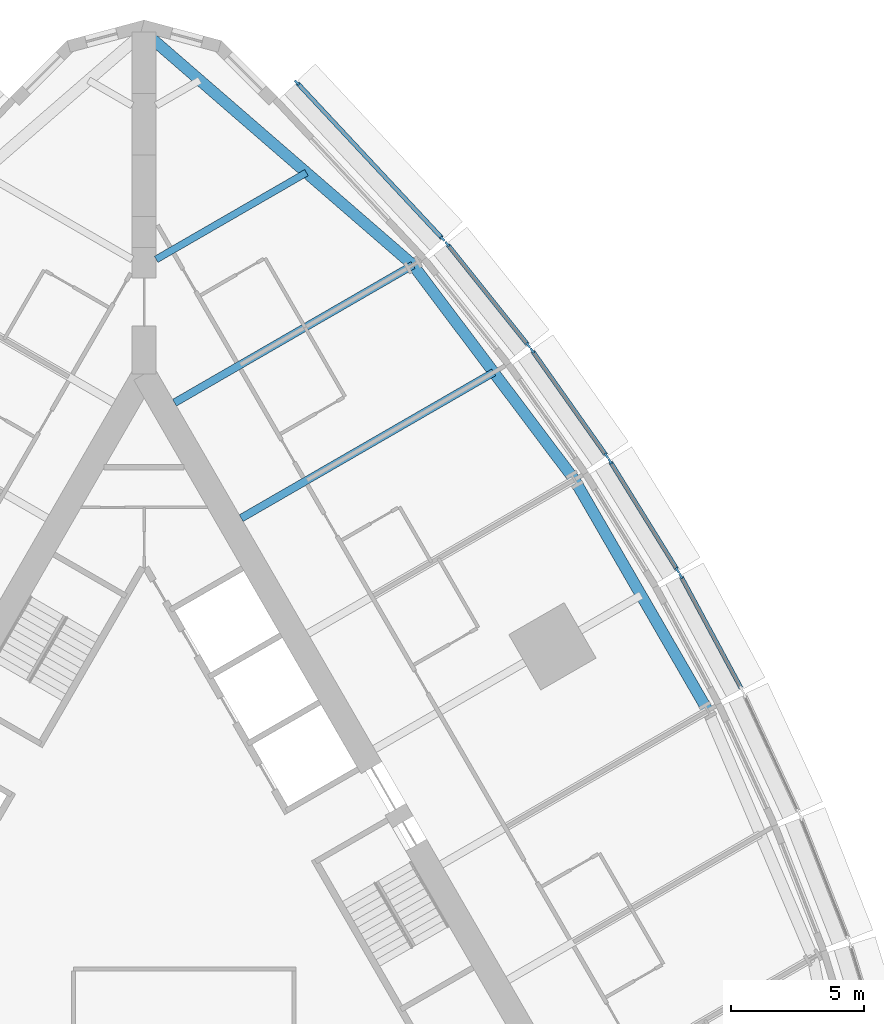
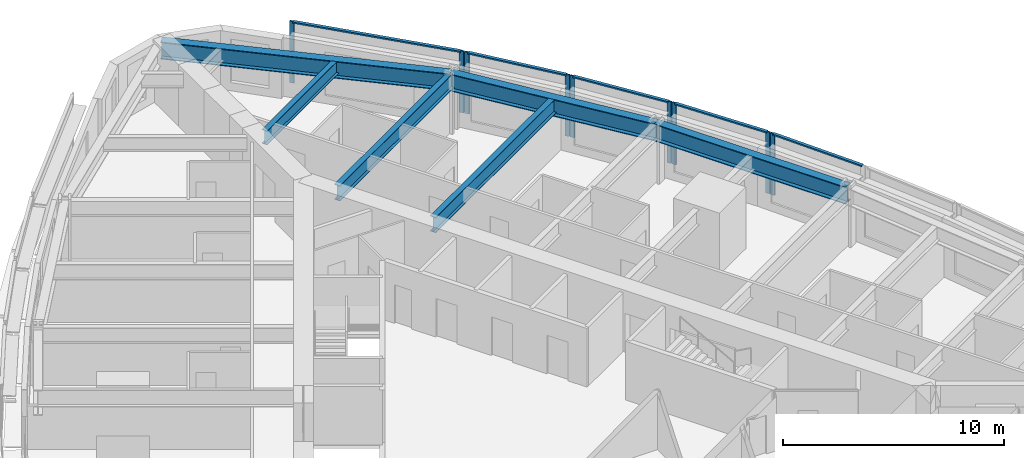
# One storey, part 5 of 14: 14 members, 6 beams, 5 elements without a shape of their own.
"""IFC4 building model written with IfcOpenShell, lengths in metres."""

import ifcopenshell
import ifcopenshell.guid

model = None  # the IFC model being written
_history = None  # IfcOwnerHistory: only IFC2X3 demands one
_inside = {}  # id of a spatial element -> (the spatial element, [elements in it])
_under = {}  # id of a project, library or spatial element -> (it, [spatial elements below it])
_declared = {}  # id of a project -> (the project, [libraries it declares])
_typed = {}  # id of a type object -> (the type object, [elements of that type])
_made_of = {}  # id of a material, layer set ... -> (it, [elements and type objects made of it])


def new_model(schema):
    """Start an empty IFC model of exactly this schema.

    Asked for "IFC4X3", IfcOpenShell would pick the latest addendum, in which some entities
    have other attributes; the version numbers below select the first issue.
    IFC2X3 requires an IfcOwnerHistory on every rooted entity: one is made here for all.
    """
    global model, _history
    if schema == "IFC4X3":
        model = ifcopenshell.file(schema_version=(4, 3, 0, 0))
    else:
        model = ifcopenshell.file(schema=schema)
    _inside.clear()
    _under.clear()
    _declared.clear()
    _typed.clear()
    _made_of.clear()
    _history = None
    if model.schema == "IFC2X3":
        org = make("IfcOrganization", Name="unknown")
        user = make(
            "IfcPersonAndOrganization",
            ThePerson=make("IfcPerson", FamilyName="unknown"),
            TheOrganization=org,
        )
        app = make(
            "IfcApplication",
            ApplicationDeveloper=org,
            Version="unknown",
            ApplicationFullName="unknown",
            ApplicationIdentifier="unknown",
        )
        _history = make(
            "IfcOwnerHistory",
            OwningUser=user,
            OwningApplication=app,
            ChangeAction="ADDED",
            CreationDate=0,
        )
    return model


def make(cls, **values):
    """One entity of the class cls with the attributes given. An attribute that is None is left unset."""
    return model.create_entity(
        cls, **{name: value for name, value in values.items() if value is not None}
    )


def rooted(cls, **values):
    """An entity with a GlobalId (a new one), such as an element, a storey or a relation."""
    return make(cls, GlobalId=ifcopenshell.guid.new(), OwnerHistory=_history, **values)


def si_unit(unit_type, name, prefix=None):
    """IfcSIUnit, for example si_unit("LENGTHUNIT", "METRE", prefix="MILLI")."""
    return make("IfcSIUnit", UnitType=unit_type, Prefix=prefix, Name=name)


def assignment(units):
    """IfcUnitAssignment: the units of a project."""
    return None if units is None else make("IfcUnitAssignment", Units=units)


def point(xyz):
    """IfcCartesianPoint."""
    return None if xyz is None else make("IfcCartesianPoint", Coordinates=xyz)


def direction(xyz):
    """IfcDirection."""
    return None if xyz is None else make("IfcDirection", DirectionRatios=xyz)


def frame(location, z_axis=None, x_axis=None):
    """IfcAxis2Placement3D, a coordinate frame: its origin and axes. An axis left out is left unset."""
    return make(
        "IfcAxis2Placement3D",
        Location=point(location),
        Axis=direction(z_axis),
        RefDirection=direction(x_axis),
    )


def frame_2d(location, x_axis=None):
    """IfcAxis2Placement2D, a coordinate frame in the plane: its origin and x axis."""
    return make(
        "IfcAxis2Placement2D", Location=point(location), RefDirection=direction(x_axis)
    )


def origin():
    """The frame at (0, 0, 0) with its axes left unset."""
    return frame((0.0, 0.0, 0.0))


def origin_2d():
    """The frame at (0, 0) in the plane with its x axis left unset."""
    return frame_2d((0.0, 0.0))


def place(relative_to, where):
    """IfcLocalPlacement: puts the frame where relative to a parent placement (None: the world)."""
    return make(
        "IfcLocalPlacement", PlacementRelTo=relative_to, RelativePlacement=where
    )


def context(
    kind, dimensions, precision=None, world=None, true_north=None, identifier=None
):
    """IfcGeometricRepresentationContext, for example the 3D "Model" context."""
    return make(
        "IfcGeometricRepresentationContext",
        ContextIdentifier=identifier,
        ContextType=kind,
        CoordinateSpaceDimension=dimensions,
        Precision=precision,
        WorldCoordinateSystem=world,
        TrueNorth=true_north,
    )


def subcontext(parent, identifier, kind, view, scale=None):
    """IfcGeometricRepresentationSubContext, for example "Body" below "Model"."""
    return make(
        "IfcGeometricRepresentationSubContext",
        ContextIdentifier=identifier,
        ContextType=kind,
        ParentContext=parent,
        TargetScale=scale,
        TargetView=view,
    )


def project(units=None, contexts=None):
    """IfcProject with its units and contexts."""
    return rooted(
        "IfcProject",
        Name="project",
        RepresentationContexts=contexts,
        UnitsInContext=assignment(units),
    )


def spatial(cls, under=None, at=None, **own):
    """A site, building, storey or space (cls), placed at a placement, below another one or the project."""
    s = rooted(cls, ObjectPlacement=at, **own)
    if under is not None:
        _under.setdefault(under.id(), (under, []))[1].append(s)
    return s


def profile(cls, at=None, kind="AREA", **sizes):
    """A parametric profile (cls). Its sizes go by their IFC names, for example OverallWidth=200.0."""
    return make(cls, ProfileType=kind, Position=at, **sizes)


def rectangle(**sizes):
    """IfcRectangleProfileDef."""
    return profile("IfcRectangleProfileDef", **sizes)


def i_section(**sizes):
    """IfcIShapeProfileDef."""
    return profile("IfcIShapeProfileDef", **sizes)


def extrude(swept, where, along, depth):
    """IfcExtrudedAreaSolid: the profile swept, set in the frame where, extruded along a direction by depth."""
    return make(
        "IfcExtrudedAreaSolid",
        SweptArea=swept,
        Position=where,
        ExtrudedDirection=direction(along),
        Depth=depth,
    )


def shape(context_of_items, identifier, shape_type, items):
    """IfcShapeRepresentation: the items that make up one representation, for example the "Body"."""
    return make(
        "IfcShapeRepresentation",
        ContextOfItems=context_of_items,
        RepresentationIdentifier=identifier,
        RepresentationType=shape_type,
        Items=items,
    )


def material(Name=None, Category=None):
    """IfcMaterial."""
    return make("IfcMaterial", Name=Name, Category=Category)


def material_profile(
    of_material, cross_section, Name=None, Category=None, Priority=None
):
    """IfcMaterialProfile: a cross section and its material."""
    return make(
        "IfcMaterialProfile",
        Name=Name,
        Material=of_material,
        Profile=cross_section,
        Priority=Priority,
        Category=Category,
    )


def profile_set(profiles, Name=None, composite=None):
    """IfcMaterialProfileSet."""
    return make(
        "IfcMaterialProfileSet",
        Name=Name,
        MaterialProfiles=profiles,
        CompositeProfile=composite,
    )


def made_of(thing, what):
    """Note that an element or type object is made of a material, layer set ...; save() writes the relation."""
    if what is not None:
        _made_of.setdefault(what.id(), (what, []))[1].append(thing)
    return thing


def type_object(cls, material=None, **own):
    """A type object (cls), such as IfcWallType, which elements share."""
    return made_of(rooted(cls, **own), material)


def element(
    cls,
    number,
    at=None,
    inside=None,
    cuts=None,
    type_object=None,
    material=None,
    context=None,
    identifier="Body",
    shape_type=None,
    held_by="IfcProductDefinitionShape",
    body=None,
    shapes=None,
    **own,
):
    """One element of the class cls, such as IfcWall. Its Tag is "e" and its number.

    at: its placement. inside: the storey or other place that contains it. cuts: it is an
    opening in that element (IfcRelVoidsElement). A single representation is given by context,
    identifier, shape_type and body (its items); several are given by shapes. held_by: the class
    of the entity that holds the representations. save() writes the other relations.
    """
    e = rooted(cls, Tag="e%d" % number, ObjectPlacement=at, **own)
    if body is not None:
        shapes = [shape(context, identifier, shape_type, body)]
    if shapes is not None:
        e.Representation = make(held_by, Representations=shapes)
    if inside is not None:
        _inside.setdefault(inside.id(), (inside, []))[1].append(e)
    if cuts is not None:
        rooted(
            "IfcRelVoidsElement", RelatingBuildingElement=cuts, RelatedOpeningElement=e
        )
    if type_object is not None:
        _typed.setdefault(type_object.id(), (type_object, []))[1].append(e)
    return made_of(e, material)


def aggregate(whole, parts):
    """IfcRelAggregates: a whole, such as a stair, and the parts it consists of."""
    return rooted("IfcRelAggregates", RelatingObject=whole, RelatedObjects=parts)


def save(model, path):
    """Write the relations noted so far, then the file.

    IfcRelAggregates (storeys below a building ...), IfcRelContainedInSpatialStructure (elements
    in a storey), IfcRelDefinesByType, IfcRelAssociatesMaterial and IfcRelDeclares: one each for
    every whole, place, type object, material and project.
    """
    for whole, parts in _under.values():
        aggregate(whole, parts)
    for where, things in _inside.values():
        rooted(
            "IfcRelContainedInSpatialStructure",
            RelatedElements=things,
            RelatingStructure=where,
        )
    for kind, things in _typed.values():
        rooted("IfcRelDefinesByType", RelatedObjects=things, RelatingType=kind)
    for what, things in _made_of.values():
        rooted("IfcRelAssociatesMaterial", RelatedObjects=things, RelatingMaterial=what)
    for by, libraries in _declared.values():
        rooted("IfcRelDeclares", RelatingContext=by, RelatedDefinitions=libraries)
    model.write(path)


model = new_model("IFC4")

# Units and contexts
model_context = context("Model", 3, precision=1e-05, world=origin(), true_north=direction((0.0, 1.0)))
body_context = subcontext(model_context, "Body", "Model", "MODEL_VIEW")
ifc_project = project(units=[si_unit("LENGTHUNIT", "METRE"), si_unit("AREAUNIT", "SQUARE_METRE"), si_unit("VOLUMEUNIT", "CUBIC_METRE"), si_unit("PLANEANGLEUNIT", "RADIAN"), si_unit("MASSUNIT", "GRAM", prefix="KILO")], contexts=[model_context])

# Site, building, storey
site_placement = place(None, origin())
site = spatial("IfcSite", under=ifc_project, at=site_placement, CompositionType="ELEMENT")
building_placement = place(site_placement, origin())
building = spatial("IfcBuilding", under=site, at=building_placement, Name="Trikona Tower", CompositionType="ELEMENT")
storey_placement = place(building_placement, frame((0.0, 0.0, 45.5)))
storey = spatial("IfcBuildingStorey", under=building, at=storey_placement, Name="L10", CompositionType="ELEMENT", Elevation=45.5)

# Curtain wall, member
ifc_material_1 = material(Name="Aluminium curtain wall system", Category="aluminium")
curtain_wall_type = type_object("IfcCurtainWallType", Name="Curtain wall DS1", PredefinedType="NOTDEFINED", material=ifc_material_1)
curtain_wall_1_placement = place(storey_placement, origin())
curtain_wall_1 = element("IfcCurtainWall", 1, at=curtain_wall_1_placement, inside=storey, type_object=curtain_wall_type, Name="Curtain wall DS1 L10", PredefinedType="NOTDEFINED")
ifc_material_2 = material(Name="Aluminium mullion, pale anodised", Category="aluminium")
ifc_material_profile_1 = material_profile(ifc_material_2, rectangle(XDim=0.080078125, YDim=0.219970703125, at=origin_2d()), Name="MUL-DS1")
ifc_profile_set_1 = profile_set([ifc_material_profile_1], Name="Aluminium mullion, pale anodised")
member_type_1 = type_object("IfcMemberType", Name="Mullion DS1 80x220", PredefinedType="MULLION", material=ifc_profile_set_1)
member_1_placement = place(storey_placement, frame((20.128662109375, 11.474365234375, 0.0), z_axis=(0.0, 0.0, 1.0), x_axis=(-0.880843080975, -0.473408350896, 0.0)))
member_1 = element("IfcMember", 2, at=member_1_placement, type_object=member_type_1, Name="CW-DS1 mullion 2", PredefinedType="MULLION", context=body_context, shape_type="SweptSolid", body=[
    extrude(rectangle(XDim=0.080078125, YDim=0.219970703125, at=origin_2d()), origin(), (0.0, 0.0, 1.0), 3.39990234375),
])

# Curtain wall, members
curtain_wall_2_placement = place(storey_placement, origin())
curtain_wall_2 = element("IfcCurtainWall", 3, at=curtain_wall_2_placement, inside=storey, type_object=curtain_wall_type, Name="Curtain wall DS1 L10", PredefinedType="NOTDEFINED")
member_2_placement = place(storey_placement, frame((20.00146484375, 11.69482421875, 0.0), z_axis=(0.0, 0.0, 1.0), x_axis=(-0.850410468941, -0.526119790842, 0.0)))
member_2 = element("IfcMember", 4, at=member_2_placement, type_object=member_type_1, Name="CW-DS1 mullion 1", PredefinedType="MULLION", context=body_context, shape_type="SweptSolid", body=[
    extrude(rectangle(XDim=0.080078125, YDim=0.219970703125, at=origin_2d()), origin(), (0.0, 0.0, 1.0), 3.39990234375),
])
member_3_placement = place(storey_placement, frame((17.474853515625, 15.77880859375, 0.0), z_axis=(0.0, 0.0, 1.0), x_axis=(-0.850410468941, -0.526119790842, 0.0)))
member_3 = element("IfcMember", 5, at=member_3_placement, type_object=member_type_1, Name="CW-DS1 mullion 2", PredefinedType="MULLION", context=body_context, shape_type="SweptSolid", body=[
    extrude(rectangle(XDim=0.080078125, YDim=0.219970703125, at=origin_2d()), origin(), (0.0, 0.0, 1.0), 3.39990234375),
])

curtain_wall_3_placement = place(storey_placement, origin())
curtain_wall_3 = element("IfcCurtainWall", 6, at=curtain_wall_3_placement, inside=storey, type_object=curtain_wall_type, Name="Curtain wall DS1 L10", PredefinedType="NOTDEFINED")
member_4_placement = place(storey_placement, frame((17.33447265625, 15.990966796875, 0.0), z_axis=(0.0, 0.0, 1.0), x_axis=(-0.816985393055, -0.576658362928, 0.0)))
member_4 = element("IfcMember", 7, at=member_4_placement, type_object=member_type_1, Name="CW-DS1 mullion 1", PredefinedType="MULLION", context=body_context, shape_type="SweptSolid", body=[
    extrude(rectangle(XDim=0.080078125, YDim=0.219970703125, at=origin_2d()), origin(), (0.0, 0.0, 1.0), 3.39990234375),
])
member_5_placement = place(storey_placement, frame((14.554443359375, 19.929443359375, 0.0), z_axis=(0.0, 0.0, 1.0), x_axis=(-0.816985393055, -0.576658362928, 0.0)))
member_5 = element("IfcMember", 8, at=member_5_placement, type_object=member_type_1, Name="CW-DS1 mullion 2", PredefinedType="MULLION", context=body_context, shape_type="SweptSolid", body=[
    extrude(rectangle(XDim=0.080078125, YDim=0.219970703125, at=origin_2d()), origin(), (0.0, 0.0, 1.0), 3.39990234375),
])

curtain_wall_4_placement = place(storey_placement, origin())
curtain_wall_4 = element("IfcCurtainWall", 9, at=curtain_wall_4_placement, inside=storey, type_object=curtain_wall_type, Name="Curtain wall DS1 L10", PredefinedType="NOTDEFINED")
member_6_placement = place(storey_placement, frame((14.40185546875, 20.13232421875, 0.0), z_axis=(0.0, 0.0, 1.0), x_axis=(-0.780937959679, -0.624608599951, 0.0)))
member_6 = element("IfcMember", 10, at=member_6_placement, type_object=member_type_1, Name="CW-DS1 mullion 1", PredefinedType="MULLION", context=body_context, shape_type="SweptSolid", body=[
    extrude(rectangle(XDim=0.080078125, YDim=0.219970703125, at=origin_2d()), origin(), (0.0, 0.0, 1.0), 3.39990234375),
])
member_7_placement = place(storey_placement, frame((11.36767578125, 23.926025390625, 0.0), z_axis=(0.0, 0.0, 1.0), x_axis=(-0.780937959679, -0.624608599951, 0.0)))
member_7 = element("IfcMember", 11, at=member_7_placement, type_object=member_type_1, Name="CW-DS1 mullion 2", PredefinedType="MULLION", context=body_context, shape_type="SweptSolid", body=[
    extrude(rectangle(XDim=0.080078125, YDim=0.219970703125, at=origin_2d()), origin(), (0.0, 0.0, 1.0), 3.39990234375),
])

curtain_wall_5_placement = place(storey_placement, origin())
curtain_wall_5 = element("IfcCurtainWall", 12, at=curtain_wall_5_placement, inside=storey, type_object=curtain_wall_type, Name="Curtain wall DS1 L10", PredefinedType="NOTDEFINED")
member_8_placement = place(storey_placement, frame((11.192138671875, 24.129150390625, 0.0), z_axis=(0.0, 0.0, 1.0), x_axis=(-0.731076639405, -0.682295351967, 0.0)))
member_8 = element("IfcMember", 13, at=member_8_placement, type_object=member_type_1, Name="CW-DS1 mullion 1", PredefinedType="MULLION", context=body_context, shape_type="SweptSolid", body=[
    extrude(rectangle(XDim=0.080078125, YDim=0.219970703125, at=origin_2d()), origin(), (0.0, 0.0, 1.0), 3.39990234375),
])
member_9_placement = place(storey_placement, frame((5.72607421875, 29.98583984375, 0.0), z_axis=(0.0, 0.0, 1.0), x_axis=(-0.731076639405, -0.682295351967, 0.0)))
member_9 = element("IfcMember", 14, at=member_9_placement, type_object=member_type_1, Name="CW-DS1 mullion 2", PredefinedType="MULLION", context=body_context, shape_type="SweptSolid", body=[
    extrude(rectangle(XDim=0.080078125, YDim=0.219970703125, at=origin_2d()), origin(), (0.0, 0.0, 1.0), 3.39990234375),
])

# Beams
ifc_material_3 = material(Name="Steel ASTM A992 Grade 50", Category="steel")
ifc_material_profile_2 = material_profile(ifc_material_3, i_section(OverallWidth=0.2666015625, OverallDepth=0.76953125, WebThickness=0.015625, FlangeThickness=0.025390625, at=origin_2d()), Name="W30X132")
ifc_profile_set_2 = profile_set([ifc_material_profile_2], Name="Steel ASTM A992 Grade 50")
beam_type_1 = type_object("IfcBeamType", Name="Steel beam W30x132 (wedge)", PredefinedType="BEAM", material=ifc_profile_set_2)
beam_1_placement = place(storey_placement, frame((0.449951171875, 23.353759765625, 2.85009765625), z_axis=(0.866022504693, 0.50000502134, 0.0), x_axis=(-0.50000502134, 0.866022504693, 0.0)))
element("IfcBeam", 15, at=beam_1_placement, inside=storey, type_object=beam_type_1, Name="Floor beam L11 F2 u20", PredefinedType="BEAM", context=body_context, shape_type="SweptSolid", body=[
    extrude(i_section(OverallWidth=0.2666015625, OverallDepth=0.76953125, WebThickness=0.015625, FlangeThickness=0.025390625, at=origin_2d()), origin(), (0.0, 0.0, 1.0), 6.5068359375),
])
ifc_material_4 = material(Name="Steel ASTM A992 Grade 50", Category="steel")
ifc_material_profile_3 = material_profile(ifc_material_4, i_section(OverallWidth=0.2919921875, OverallDepth=0.845703125, WebThickness=0.015380859375, FlangeThickness=0.0244140625, at=origin_2d()), Name="W33X141")
ifc_profile_set_3 = profile_set([ifc_material_profile_3], Name="Steel ASTM A992 Grade 50")
beam_type_2 = type_object("IfcBeamType", Name="Steel beam W33x141 (radial typ)", PredefinedType="BEAM", material=ifc_profile_set_3)
beam_2_placement = place(storey_placement, frame((3.6396484375, 13.6484375, 2.81201171875), z_axis=(0.866025348605, 0.500000095573, 0.0), x_axis=(-0.500000095573, 0.866025348605, 0.0)))
element("IfcBeam", 16, at=beam_2_placement, inside=storey, type_object=beam_type_2, Name="Floor beam L11 F2 u10", PredefinedType="BEAM", context=body_context, shape_type="SweptSolid", body=[
    extrude(i_section(OverallWidth=0.2919921875, OverallDepth=0.845703125, WebThickness=0.015380859375, FlangeThickness=0.0244140625, at=origin_2d()), origin(), (0.0, 0.0, 1.0), 10.935546875),
])
beam_3_placement = place(storey_placement, frame((1.1396484375, 17.978515625, 2.81201171875), z_axis=(0.866030471684, 0.499991222037, 0.0), x_axis=(-0.499991222037, 0.866030471684, 0.0)))
element("IfcBeam", 17, at=beam_3_placement, inside=storey, type_object=beam_type_2, Name="Floor beam L11 F2 u15", PredefinedType="BEAM", context=body_context, shape_type="SweptSolid", body=[
    extrude(i_section(OverallWidth=0.2919921875, OverallDepth=0.845703125, WebThickness=0.015380859375, FlangeThickness=0.0244140625, at=origin_2d()), origin(), (0.0, 0.0, 1.0), 10.326904296875),
])
ifc_material_5 = material(Name="Steel ASTM A992 Grade 50", Category="steel")
ifc_material_profile_4 = material_profile(ifc_material_5, i_section(OverallWidth=0.424072265625, OverallDepth=0.947509765625, WebThickness=0.02392578125, FlangeThickness=0.042724609375, at=origin_2d()), Name="W36X302")
ifc_profile_set_4 = profile_set([ifc_material_profile_4], Name="Steel ASTM A992 Grade 50")
beam_type_3 = type_object("IfcBeamType", Name="Steel beam W36x302 (spandrel)", PredefinedType="SPANDREL", material=ifc_profile_set_4)
beam_4_placement = place(storey_placement, frame((21.13720703125, 6.43017578125, 2.76123046875), z_axis=(-0.500004234368, 0.866022959057, 0.0), x_axis=(-0.866022959057, -0.500004234368, 0.0)))
element("IfcBeam", 18, at=beam_4_placement, inside=storey, type_object=beam_type_3, Name="Spandrel beam L11 F2-3", PredefinedType="SPANDREL", context=body_context, shape_type="SweptSolid", body=[
    extrude(i_section(OverallWidth=0.424072265625, OverallDepth=0.947509765625, WebThickness=0.02392578125, FlangeThickness=0.042724609375, at=origin_2d()), origin(), (0.0, 0.0, 1.0), 10.0),
])
beam_5_placement = place(storey_placement, frame((16.13720703125, 15.09033203125, 2.76123046875), z_axis=(-0.600988344191, 0.799257787042, 0.0), x_axis=(-0.799257787042, -0.600988344191, 0.0)))
element("IfcBeam", 19, at=beam_5_placement, inside=storey, type_object=beam_type_3, Name="Spandrel beam L11 F2-4", PredefinedType="SPANDREL", context=body_context, shape_type="SweptSolid", body=[
    extrude(i_section(OverallWidth=0.424072265625, OverallDepth=0.947509765625, WebThickness=0.02392578125, FlangeThickness=0.042724609375, at=origin_2d()), origin(), (0.0, 0.0, 1.0), 10.07373046875),
])
beam_6_placement = place(storey_placement, frame((10.0830078125, 23.141845703125, 2.76123046875), z_axis=(-0.755646822726, 0.654979296851, 0.0), x_axis=(-0.654979296851, -0.755646822726, 0.0)))
element("IfcBeam", 20, at=beam_6_placement, inside=storey, type_object=beam_type_3, Name="Spandrel beam L11 F2-5", PredefinedType="SPANDREL", context=body_context, shape_type="SweptSolid", body=[
    extrude(i_section(OverallWidth=0.424072265625, OverallDepth=0.947509765625, WebThickness=0.02392578125, FlangeThickness=0.042724609375, at=origin_2d()), origin(), (0.0, 0.0, 1.0), 13.343505859375),
])

# Member
ifc_material_6 = material(Name="Aluminium transom, pale anodised", Category="aluminium")
ifc_material_profile_5 = material_profile(ifc_material_6, rectangle(XDim=0.159912109375, YDim=0.080078125, at=origin_2d()), Name="TRN-DS1")
ifc_profile_set_5 = profile_set([ifc_material_profile_5], Name="Aluminium transom, pale anodised")
member_type_2 = type_object("IfcMemberType", Name="Transom DS1 80x160", PredefinedType="USERDEFINED", material=ifc_profile_set_5)
member_10_placement = place(storey_placement, frame((22.38330078125, 7.279541015625, 3.360107421875), z_axis=(-0.473427569755, 0.880832751546, 0.0), x_axis=(-0.880832751546, -0.473427569755, 0.0)))
member_10 = element("IfcMember", 21, at=member_10_placement, type_object=member_type_2, Name="CW-DS1 transom 1.1", ObjectType="TRANSOM", PredefinedType="USERDEFINED", context=body_context, shape_type="SweptSolid", body=[
    extrude(rectangle(XDim=0.159912109375, YDim=0.080078125, at=origin_2d()), origin(), (0.0, 0.0, 1.0), 4.72216796875),
])

aggregate(curtain_wall_1, [member_1, member_10])

member_11_placement = place(storey_placement, frame((19.980224609375, 11.728759765625, 3.360107421875), z_axis=(-0.526080502257, 0.850434774186, 0.0), x_axis=(-0.850434774186, -0.526080502257, 0.0)))
member_11 = element("IfcMember", 22, at=member_11_placement, type_object=member_type_2, Name="CW-DS1 transom 1.1", ObjectType="TRANSOM", PredefinedType="USERDEFINED", context=body_context, shape_type="SweptSolid", body=[
    extrude(rectangle(XDim=0.159912109375, YDim=0.080078125, at=origin_2d()), origin(), (0.0, 0.0, 1.0), 4.722412109375),
])

aggregate(curtain_wall_2, [member_2, member_3, member_11])

member_12_placement = place(storey_placement, frame((17.311279296875, 16.023681640625, 3.360107421875), z_axis=(-0.57664478015, 0.816994980111, 0.0), x_axis=(-0.816994980111, -0.57664478015, 0.0)))
member_12 = element("IfcMember", 23, at=member_12_placement, type_object=member_type_2, Name="CW-DS1 transom 1.1", ObjectType="TRANSOM", PredefinedType="USERDEFINED", context=body_context, shape_type="SweptSolid", body=[
    extrude(rectangle(XDim=0.159912109375, YDim=0.080078125, at=origin_2d()), origin(), (0.0, 0.0, 1.0), 4.740478515625),
])

aggregate(curtain_wall_3, [member_4, member_5, member_12])

member_13_placement = place(storey_placement, frame((14.376953125, 20.16357421875, 3.360107421875), z_axis=(-0.624589103832, 0.780953552636, 0.0), x_axis=(-0.780953552636, -0.624589103832, 0.0)))
member_13 = element("IfcMember", 24, at=member_13_placement, type_object=member_type_2, Name="CW-DS1 transom 1.1", ObjectType="TRANSOM", PredefinedType="USERDEFINED", context=body_context, shape_type="SweptSolid", body=[
    extrude(rectangle(XDim=0.159912109375, YDim=0.080078125, at=origin_2d()), origin(), (0.0, 0.0, 1.0), 4.77783203125),
])

aggregate(curtain_wall_4, [member_6, member_7, member_13])

member_14_placement = place(storey_placement, frame((11.164794921875, 24.158203125, 3.360107421875), z_axis=(-0.682290830921, 0.731080858758, 0.0), x_axis=(-0.731080858758, -0.682290830921, 0.0)))
member_14 = element("IfcMember", 25, at=member_14_placement, type_object=member_type_2, Name="CW-DS1 transom 1.1", ObjectType="TRANSOM", PredefinedType="USERDEFINED", context=body_context, shape_type="SweptSolid", body=[
    extrude(rectangle(XDim=0.159912109375, YDim=0.080078125, at=origin_2d()), origin(), (0.0, 0.0, 1.0), 7.93115234375),
])

aggregate(curtain_wall_5, [member_8, member_9, member_14])

save(model, "model.ifc")
